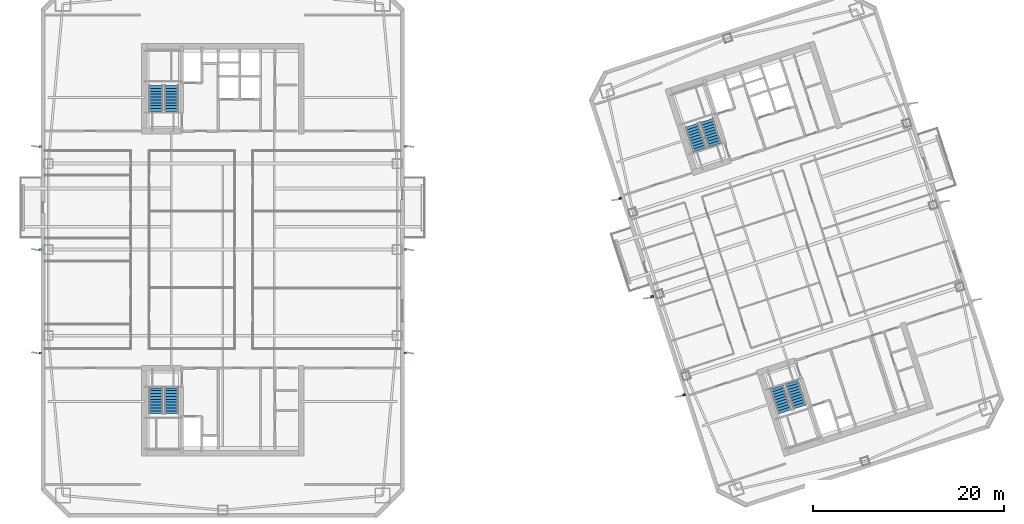
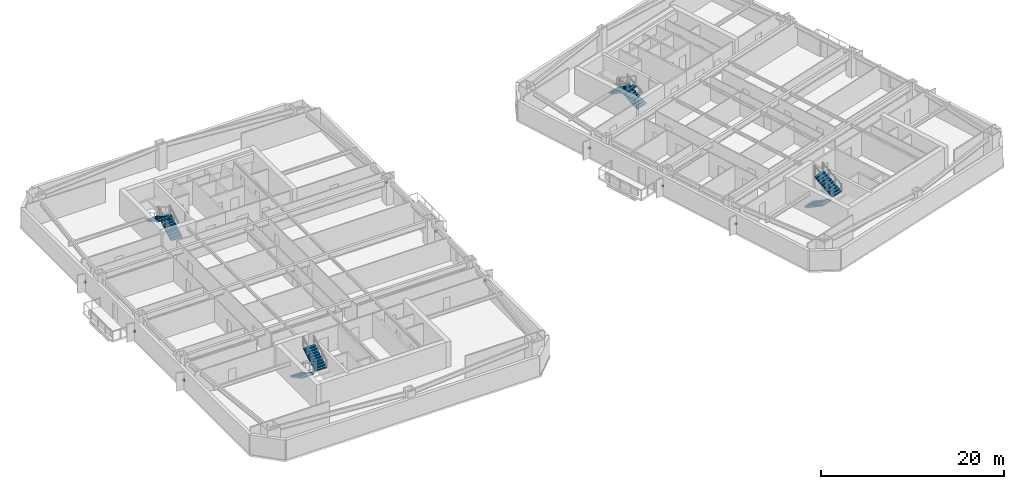
# One storey, part 11 of 17: 9 discrete accessories, 8 stair flights, 4 elements without a shape of their own.
"""IFC4 building model written with IfcOpenShell, lengths in metres."""

from ifc_helpers import new_model, si_unit, direction, frame, origin, origin_2d, place, context, subcontext, project, spatial, polyline, rectangle, outline, extrude, material, type_object, element, aggregate, save


model = new_model("IFC4")

# Units and contexts
model_context = context("Model", 3, precision=1e-05, world=origin(), true_north=direction((0.0, 1.0)))
body_context = subcontext(model_context, "Body", "Model", "MODEL_VIEW")
ifc_project = project(units=[si_unit("LENGTHUNIT", "METRE"), si_unit("AREAUNIT", "SQUARE_METRE"), si_unit("VOLUMEUNIT", "CUBIC_METRE"), si_unit("PLANEANGLEUNIT", "RADIAN"), si_unit("MASSUNIT", "GRAM", prefix="KILO")], contexts=[model_context])

# Site, building, storey
site_placement = place(None, origin())
site = spatial("IfcSite", under=ifc_project, at=site_placement, CompositionType="ELEMENT")
building_placement = place(site_placement, origin())
building = spatial("IfcBuilding", under=site, at=building_placement, Name="Qiaolan Cultural Towers", CompositionType="ELEMENT")
storey_placement = place(building_placement, frame((0.0, 0.0, 142.60009765625)))
storey = spatial("IfcBuildingStorey", under=building, at=storey_placement, Name="L37", CompositionType="ELEMENT", Elevation=142.60009765625)

# Stair, stair flights
ifc_material_1 = material(Name="Concrete C45", Category="concrete")
stair_type = type_object("IfcStairType", Name="STR-CORE-1500", PredefinedType="HALF_TURN_STAIR", material=ifc_material_1)
stair_1_placement = place(storey_placement, origin())
stair_1 = element("IfcStair", 1, at=stair_1_placement, inside=storey, type_object=stair_type, Name="L37 Smokeproof Exit Stair ST-W1", PredefinedType="HALF_TURN_STAIR")
ifc_material_2 = material(Name="Concrete C45", Category="concrete")
stair_flight_type = type_object("IfcStairFlightType", Name="STR-CORE-1500-FL", PredefinedType="STRAIGHT", material=ifc_material_2)
stair_flight_1_placement = place(storey_placement, frame((23.02001953125, 19.550048828125, 0.0), z_axis=(0.0, 0.0, 1.0), x_axis=(0.0, -1.0, 0.0)))
stair_flight_1 = element("IfcStairFlight", 2, at=stair_flight_1_placement, type_object=stair_flight_type, Name="ST-W1 flight 1", NumberOfRisers=10, NumberOfTreads=9, PredefinedType="STRAIGHT", RiserHeight=0.1725, TreadLength=0.3, context=body_context, shape_type="SweptSolid", body=[
    extrude(outline(polyline([(0.0, 0.0), (0.0, 0.172607421875), (0.300048828125, 0.172607421875), (0.300048828125, 0.344970703125), (0.60009765625, 0.344970703125), (0.60009765625, 0.517578125), (0.89990234375, 0.517578125), (0.89990234375, 0.68994140625), (1.199951171875, 0.68994140625), (1.199951171875, 0.862548828125), (1.5, 0.862548828125), (1.5, 1.034912109375), (1.800048828125, 1.034912109375), (1.800048828125, 1.20751953125), (2.10009765625, 1.20751953125), (2.10009765625, 1.3798828125), (2.39990234375, 1.3798828125), (2.39990234375, 1.552490234375), (2.699951171875, 1.552490234375), (2.699951171875, 1.72509765625), (2.699951171875, 1.379638671875), (0.30078125, 0.0), (0.0, 0.0)])), frame((0.0, 0.719970703125, 0.0), z_axis=(0.0, -1.0, 0.0), x_axis=(1.0, 0.0, 0.0)), (0.0, 0.0, 1.0), 1.43994140625),
])
stair_flight_2_placement = place(storey_placement, frame((24.659912109375, 16.85009765625, 1.724853515625), z_axis=(0.0, 0.0, 1.0), x_axis=(0.0, 1.0, 0.0)))
stair_flight_2 = element("IfcStairFlight", 3, at=stair_flight_2_placement, type_object=stair_flight_type, Name="ST-W1 flight 2", NumberOfRisers=10, NumberOfTreads=9, PredefinedType="STRAIGHT", RiserHeight=0.1725, TreadLength=0.3, context=body_context, shape_type="SweptSolid", body=[
    extrude(outline(polyline([(0.0, 0.0), (0.0, 0.172607421875), (0.300048828125, 0.172607421875), (0.300048828125, 0.344970703125), (0.60009765625, 0.344970703125), (0.60009765625, 0.517578125), (0.89990234375, 0.517578125), (0.89990234375, 0.68994140625), (1.199951171875, 0.68994140625), (1.199951171875, 0.862548828125), (1.5, 0.862548828125), (1.5, 1.034912109375), (1.800048828125, 1.034912109375), (1.800048828125, 1.20751953125), (2.10009765625, 1.20751953125), (2.10009765625, 1.3798828125), (2.39990234375, 1.3798828125), (2.39990234375, 1.552490234375), (2.699951171875, 1.552490234375), (2.699951171875, 1.72509765625), (2.699951171875, 1.379638671875), (0.30078125, 0.0), (0.0, 0.0)])), frame((0.0, 0.719970703125, 0.0), z_axis=(0.0, -1.0, 0.0), x_axis=(1.0, 0.0, 0.0)), (0.0, 0.0, 1.0), 1.43994140625),
])
aggregate(stair_1, [stair_flight_1, stair_flight_2])

stair_2_placement = place(storey_placement, origin())
stair_2 = element("IfcStair", 4, at=stair_2_placement, inside=storey, type_object=stair_type, Name="L37 Smokeproof Exit Stair ST-W2", PredefinedType="HALF_TURN_STAIR")
stair_flight_3_placement = place(storey_placement, frame((24.659912109375, 48.449951171875, 0.0), z_axis=(0.0, 0.0, 1.0), x_axis=(0.0, 1.0, 0.0)))
stair_flight_3 = element("IfcStairFlight", 5, at=stair_flight_3_placement, type_object=stair_flight_type, Name="ST-W2 flight 1", NumberOfRisers=10, NumberOfTreads=9, PredefinedType="STRAIGHT", RiserHeight=0.1725, TreadLength=0.3, context=body_context, shape_type="SweptSolid", body=[
    extrude(outline(polyline([(0.0, 0.0), (0.0, 0.172607421875), (0.300048828125, 0.172607421875), (0.300048828125, 0.344970703125), (0.60009765625, 0.344970703125), (0.60009765625, 0.517578125), (0.89990234375, 0.517578125), (0.89990234375, 0.68994140625), (1.199951171875, 0.68994140625), (1.199951171875, 0.862548828125), (1.5, 0.862548828125), (1.5, 1.034912109375), (1.800048828125, 1.034912109375), (1.800048828125, 1.20751953125), (2.10009765625, 1.20751953125), (2.10009765625, 1.3798828125), (2.39990234375, 1.3798828125), (2.39990234375, 1.552490234375), (2.699951171875, 1.552490234375), (2.699951171875, 1.72509765625), (2.699951171875, 1.379638671875), (0.30078125, 0.0), (0.0, 0.0)])), frame((0.0, 0.719970703125, 0.0), z_axis=(0.0, -1.0, 0.0), x_axis=(1.0, 0.0, 0.0)), (0.0, 0.0, 1.0), 1.43994140625),
])
stair_flight_4_placement = place(storey_placement, frame((23.02001953125, 51.14990234375, 1.724853515625), z_axis=(0.0, 0.0, 1.0), x_axis=(0.0, -1.0, 0.0)))
stair_flight_4 = element("IfcStairFlight", 6, at=stair_flight_4_placement, type_object=stair_flight_type, Name="ST-W2 flight 2", NumberOfRisers=10, NumberOfTreads=9, PredefinedType="STRAIGHT", RiserHeight=0.1725, TreadLength=0.3, context=body_context, shape_type="SweptSolid", body=[
    extrude(outline(polyline([(0.0, 0.0), (0.0, 0.172607421875), (0.300048828125, 0.172607421875), (0.300048828125, 0.344970703125), (0.60009765625, 0.344970703125), (0.60009765625, 0.517578125), (0.89990234375, 0.517578125), (0.89990234375, 0.68994140625), (1.199951171875, 0.68994140625), (1.199951171875, 0.862548828125), (1.5, 0.862548828125), (1.5, 1.034912109375), (1.800048828125, 1.034912109375), (1.800048828125, 1.20751953125), (2.10009765625, 1.20751953125), (2.10009765625, 1.3798828125), (2.39990234375, 1.3798828125), (2.39990234375, 1.552490234375), (2.699951171875, 1.552490234375), (2.699951171875, 1.72509765625), (2.699951171875, 1.379638671875), (0.30078125, 0.0), (0.0, 0.0)])), frame((0.0, 0.719970703125, 0.0), z_axis=(0.0, -1.0, 0.0), x_axis=(1.0, 0.0, 0.0)), (0.0, 0.0, 1.0), 1.43994140625),
])
aggregate(stair_2, [stair_flight_3, stair_flight_4])

stair_3_placement = place(storey_placement, origin())
stair_3 = element("IfcStair", 7, at=stair_3_placement, inside=storey, type_object=stair_type, Name="L37 Smokeproof Exit Stair ST-E1", PredefinedType="HALF_TURN_STAIR")
stair_flight_5_placement = place(storey_placement, frame((87.96484375, 19.6171875, 0.0), z_axis=(0.0, 0.0, 1.0), x_axis=(0.309016994375, -0.951056516295, 0.0)))
stair_flight_5 = element("IfcStairFlight", 8, at=stair_flight_5_placement, type_object=stair_flight_type, Name="ST-E1 flight 1", NumberOfRisers=10, NumberOfTreads=9, PredefinedType="STRAIGHT", RiserHeight=0.1725, TreadLength=0.3, context=body_context, shape_type="SweptSolid", body=[
    extrude(outline(polyline([(0.0, 0.0), (0.0, 0.172607421875), (0.300048828125, 0.172607421875), (0.300048828125, 0.344970703125), (0.60009765625, 0.344970703125), (0.60009765625, 0.517578125), (0.89990234375, 0.517578125), (0.89990234375, 0.68994140625), (1.199951171875, 0.68994140625), (1.199951171875, 0.862548828125), (1.5, 0.862548828125), (1.5, 1.034912109375), (1.800048828125, 1.034912109375), (1.800048828125, 1.20751953125), (2.10009765625, 1.20751953125), (2.10009765625, 1.3798828125), (2.39990234375, 1.3798828125), (2.39990234375, 1.552490234375), (2.699951171875, 1.552490234375), (2.699951171875, 1.72509765625), (2.699951171875, 1.379638671875), (0.30078125, 0.0), (0.0, 0.0)])), frame((0.0, 0.719970703125, 0.0), z_axis=(0.0, -1.0, 0.0), x_axis=(1.0, 0.0, 0.0)), (0.0, 0.0, 1.0), 1.43994140625),
])
stair_flight_6_placement = place(storey_placement, frame((90.359130859375, 17.55615234375, 1.724853515625), z_axis=(0.0, 0.0, 1.0), x_axis=(-0.309016994375, 0.951056516295, 0.0)))
stair_flight_6 = element("IfcStairFlight", 9, at=stair_flight_6_placement, type_object=stair_flight_type, Name="ST-E1 flight 2", NumberOfRisers=10, NumberOfTreads=9, PredefinedType="STRAIGHT", RiserHeight=0.1725, TreadLength=0.3, context=body_context, shape_type="SweptSolid", body=[
    extrude(outline(polyline([(0.0, 0.0), (0.0, 0.172607421875), (0.300048828125, 0.172607421875), (0.300048828125, 0.344970703125), (0.60009765625, 0.344970703125), (0.60009765625, 0.517578125), (0.89990234375, 0.517578125), (0.89990234375, 0.68994140625), (1.199951171875, 0.68994140625), (1.199951171875, 0.862548828125), (1.5, 0.862548828125), (1.5, 1.034912109375), (1.800048828125, 1.034912109375), (1.800048828125, 1.20751953125), (2.10009765625, 1.20751953125), (2.10009765625, 1.3798828125), (2.39990234375, 1.3798828125), (2.39990234375, 1.552490234375), (2.699951171875, 1.552490234375), (2.699951171875, 1.72509765625), (2.699951171875, 1.379638671875), (0.30078125, 0.0), (0.0, 0.0)])), frame((0.0, 0.719970703125, 0.0), z_axis=(0.0, -1.0, 0.0), x_axis=(1.0, 0.0, 0.0)), (0.0, 0.0, 1.0), 1.43994140625),
])
aggregate(stair_3, [stair_flight_5, stair_flight_6])

stair_4_placement = place(storey_placement, origin())
stair_4 = element("IfcStair", 10, at=stair_4_placement, inside=storey, type_object=stair_type, Name="L37 Smokeproof Exit Stair ST-E2", PredefinedType="HALF_TURN_STAIR")
stair_flight_7_placement = place(storey_placement, frame((81.459228515625, 44.946533203125, 0.0), z_axis=(0.0, 0.0, 1.0), x_axis=(-0.309016994375, 0.951056516295, 0.0)))
stair_flight_7 = element("IfcStairFlight", 11, at=stair_flight_7_placement, type_object=stair_flight_type, Name="ST-E2 flight 1", NumberOfRisers=10, NumberOfTreads=9, PredefinedType="STRAIGHT", RiserHeight=0.1725, TreadLength=0.3, context=body_context, shape_type="SweptSolid", body=[
    extrude(outline(polyline([(0.0, 0.0), (0.0, 0.172607421875), (0.300048828125, 0.172607421875), (0.300048828125, 0.344970703125), (0.60009765625, 0.344970703125), (0.60009765625, 0.517578125), (0.89990234375, 0.517578125), (0.89990234375, 0.68994140625), (1.199951171875, 0.68994140625), (1.199951171875, 0.862548828125), (1.5, 0.862548828125), (1.5, 1.034912109375), (1.800048828125, 1.034912109375), (1.800048828125, 1.20751953125), (2.10009765625, 1.20751953125), (2.10009765625, 1.3798828125), (2.39990234375, 1.3798828125), (2.39990234375, 1.552490234375), (2.699951171875, 1.552490234375), (2.699951171875, 1.72509765625), (2.699951171875, 1.379638671875), (0.30078125, 0.0), (0.0, 0.0)])), frame((0.0, 0.719970703125, 0.0), z_axis=(0.0, -1.0, 0.0), x_axis=(1.0, 0.0, 0.0)), (0.0, 0.0, 1.0), 1.43994140625),
])
stair_flight_8_placement = place(storey_placement, frame((79.065185546875, 47.007568359375, 1.724853515625), z_axis=(0.0, 0.0, 1.0), x_axis=(0.309016994375, -0.951056516295, 0.0)))
stair_flight_8 = element("IfcStairFlight", 12, at=stair_flight_8_placement, type_object=stair_flight_type, Name="ST-E2 flight 2", NumberOfRisers=10, NumberOfTreads=9, PredefinedType="STRAIGHT", RiserHeight=0.1725, TreadLength=0.3, context=body_context, shape_type="SweptSolid", body=[
    extrude(outline(polyline([(0.0, 0.0), (0.0, 0.172607421875), (0.300048828125, 0.172607421875), (0.300048828125, 0.344970703125), (0.60009765625, 0.344970703125), (0.60009765625, 0.517578125), (0.89990234375, 0.517578125), (0.89990234375, 0.68994140625), (1.199951171875, 0.68994140625), (1.199951171875, 0.862548828125), (1.5, 0.862548828125), (1.5, 1.034912109375), (1.800048828125, 1.034912109375), (1.800048828125, 1.20751953125), (2.10009765625, 1.20751953125), (2.10009765625, 1.3798828125), (2.39990234375, 1.3798828125), (2.39990234375, 1.552490234375), (2.699951171875, 1.552490234375), (2.699951171875, 1.72509765625), (2.699951171875, 1.379638671875), (0.30078125, 0.0), (0.0, 0.0)])), frame((0.0, 0.719970703125, 0.0), z_axis=(0.0, -1.0, 0.0), x_axis=(1.0, 0.0, 0.0)), (0.0, 0.0, 1.0), 1.43994140625),
])
aggregate(stair_4, [stair_flight_7, stair_flight_8])

# Discrete accessories
ifc_material_3 = material(Name="Stainless Steel S31608 Facade Anchor Bracket", Category="steel")
discrete_accessory_type = type_object("IfcDiscreteAccessoryType", Name="ACC-BRK-SS", PredefinedType="BRACKET", material=ifc_material_3)
for number, where, z_axis, x_axis, name in (
    (13, (10.919921875, 23.199951171875, 1.18505859375), (0.0, 0.0, 1.0), (1.0, 0.0, 0.0), "L37 T1 Facade Fin Anchor Bracket W1"),
    (14, (10.919921875, 34.0, 1.18505859375), (0.0, 0.0, 1.0), (1.0, 0.0, 0.0), "L37 T1 Facade Fin Anchor Bracket W2"),
    (15, (10.919921875, 44.800048828125, 1.18505859375), (0.0, 0.0, 1.0), (1.0, 0.0, 0.0), "L37 T1 Facade Fin Anchor Bracket W3"),
    (16, (49.080078125, 23.199951171875, 1.18505859375), (0.0, 0.0, 1.0), (1.0, 0.0, 0.0), "L37 T1 Facade Fin Anchor Bracket E1"),
    (17, (49.080078125, 34.0, 1.18505859375), (0.0, 0.0, 1.0), (1.0, 0.0, 0.0), "L37 T1 Facade Fin Anchor Bracket E2"),
    (18, (49.080078125, 44.800048828125, 1.18505859375), (0.0, 0.0, 1.0), (1.0, 0.0, 0.0), "L37 T1 Facade Fin Anchor Bracket E3"),
    (19, (78.234619140625, 18.8212890625, 1.18505859375), (0.0, 0.0, 1.0), (0.951056516295, 0.309016994375, 0.0), "L37 T2 Facade Fin Anchor Bracket W1"),
    (20, (74.897216796875, 29.0927734375, 1.18505859375), (0.0, 0.0, 1.0), (0.951056516295, 0.309016994375, 0.0), "L37 T2 Facade Fin Anchor Bracket W2"),
    (21, (71.559814453125, 39.3642578125, 1.18505859375), (0.0, 0.0, 1.0), (0.951056516295, 0.309016994375, 0.0), "L37 T2 Facade Fin Anchor Bracket W3"),
):
    element("IfcDiscreteAccessory", number, at=place(storey_placement, frame(where, z_axis=z_axis, x_axis=x_axis)), inside=storey, type_object=discrete_accessory_type, Name=name, PredefinedType="BRACKET", context=body_context, shape_type="SweptSolid", body=[
        extrude(rectangle(XDim=0.280029296875, YDim=0.219970703125, at=origin_2d()), origin(), (0.0, 0.0, 1.0), 0.239990234375),
    ])

save(model, "model.ifc")
